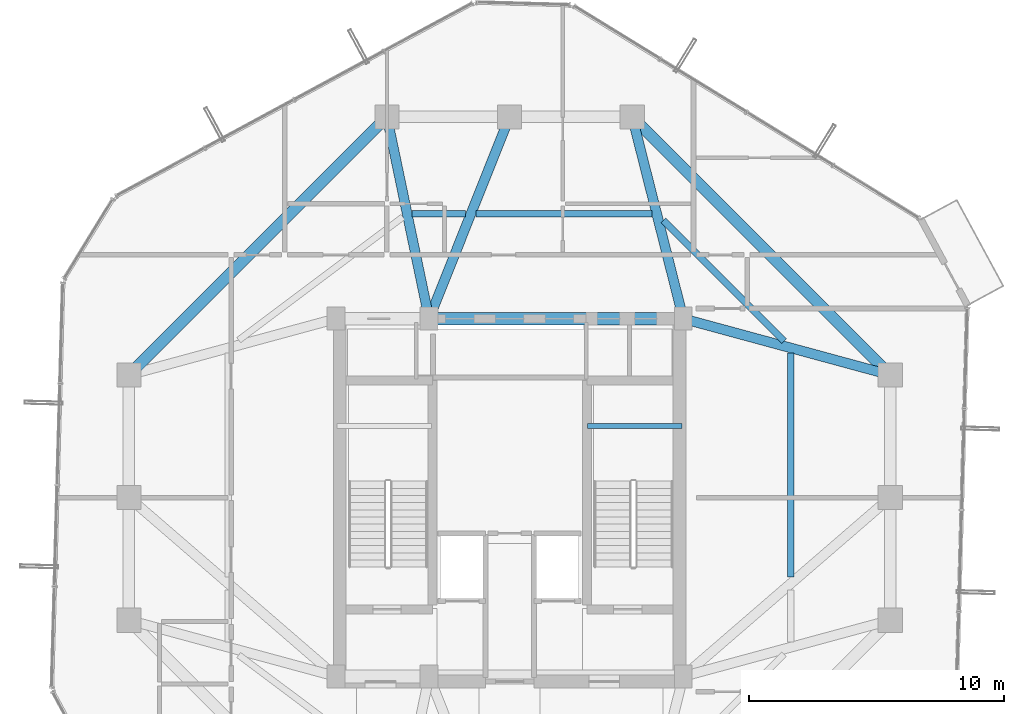
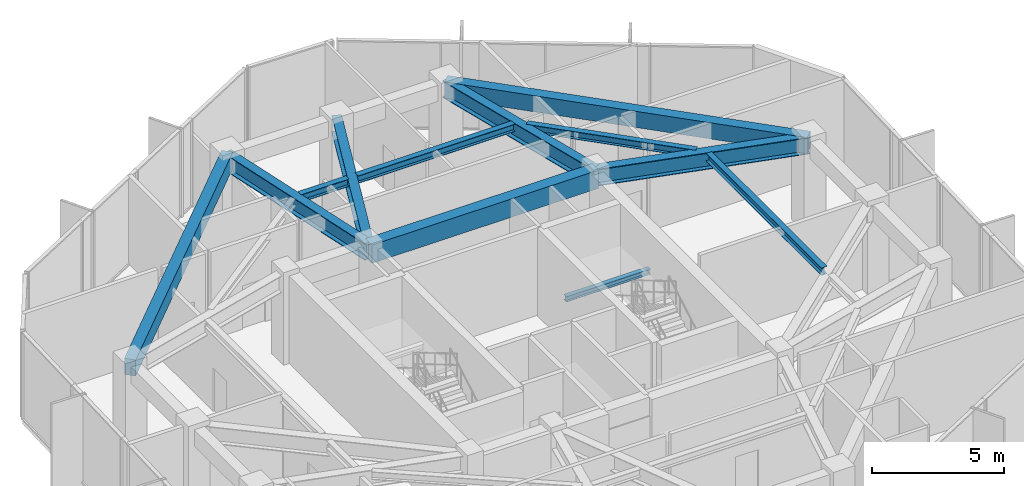
# One storey, part 10 of 22: 12 beams.
"""IFC4 building model written with IfcOpenShell, lengths in metres."""

import ifcopenshell
import ifcopenshell.guid

model = None  # the IFC model being written
_history = None  # IfcOwnerHistory: only IFC2X3 demands one
_inside = {}  # id of a spatial element -> (the spatial element, [elements in it])
_under = {}  # id of a project, library or spatial element -> (it, [spatial elements below it])
_declared = {}  # id of a project -> (the project, [libraries it declares])
_typed = {}  # id of a type object -> (the type object, [elements of that type])
_made_of = {}  # id of a material, layer set ... -> (it, [elements and type objects made of it])


def new_model(schema):
    """Start an empty IFC model of exactly this schema.

    Asked for "IFC4X3", IfcOpenShell would pick the latest addendum, in which some entities
    have other attributes; the version numbers below select the first issue.
    IFC2X3 requires an IfcOwnerHistory on every rooted entity: one is made here for all.
    """
    global model, _history
    if schema == "IFC4X3":
        model = ifcopenshell.file(schema_version=(4, 3, 0, 0))
    else:
        model = ifcopenshell.file(schema=schema)
    _inside.clear()
    _under.clear()
    _declared.clear()
    _typed.clear()
    _made_of.clear()
    _history = None
    if model.schema == "IFC2X3":
        org = make("IfcOrganization", Name="unknown")
        user = make(
            "IfcPersonAndOrganization",
            ThePerson=make("IfcPerson", FamilyName="unknown"),
            TheOrganization=org,
        )
        app = make(
            "IfcApplication",
            ApplicationDeveloper=org,
            Version="unknown",
            ApplicationFullName="unknown",
            ApplicationIdentifier="unknown",
        )
        _history = make(
            "IfcOwnerHistory",
            OwningUser=user,
            OwningApplication=app,
            ChangeAction="ADDED",
            CreationDate=0,
        )
    return model


def make(cls, **values):
    """One entity of the class cls with the attributes given. An attribute that is None is left unset."""
    return model.create_entity(
        cls, **{name: value for name, value in values.items() if value is not None}
    )


def rooted(cls, **values):
    """An entity with a GlobalId (a new one), such as an element, a storey or a relation."""
    return make(cls, GlobalId=ifcopenshell.guid.new(), OwnerHistory=_history, **values)


def si_unit(unit_type, name, prefix=None):
    """IfcSIUnit, for example si_unit("LENGTHUNIT", "METRE", prefix="MILLI")."""
    return make("IfcSIUnit", UnitType=unit_type, Prefix=prefix, Name=name)


def assignment(units):
    """IfcUnitAssignment: the units of a project."""
    return None if units is None else make("IfcUnitAssignment", Units=units)


def point(xyz):
    """IfcCartesianPoint."""
    return None if xyz is None else make("IfcCartesianPoint", Coordinates=xyz)


def direction(xyz):
    """IfcDirection."""
    return None if xyz is None else make("IfcDirection", DirectionRatios=xyz)


def frame(location, z_axis=None, x_axis=None):
    """IfcAxis2Placement3D, a coordinate frame: its origin and axes. An axis left out is left unset."""
    return make(
        "IfcAxis2Placement3D",
        Location=point(location),
        Axis=direction(z_axis),
        RefDirection=direction(x_axis),
    )


def frame_2d(location, x_axis=None):
    """IfcAxis2Placement2D, a coordinate frame in the plane: its origin and x axis."""
    return make(
        "IfcAxis2Placement2D", Location=point(location), RefDirection=direction(x_axis)
    )


def origin():
    """The frame at (0, 0, 0) with its axes left unset."""
    return frame((0.0, 0.0, 0.0))


def origin_2d():
    """The frame at (0, 0) in the plane with its x axis left unset."""
    return frame_2d((0.0, 0.0))


def place(relative_to, where):
    """IfcLocalPlacement: puts the frame where relative to a parent placement (None: the world)."""
    return make(
        "IfcLocalPlacement", PlacementRelTo=relative_to, RelativePlacement=where
    )


def context(
    kind, dimensions, precision=None, world=None, true_north=None, identifier=None
):
    """IfcGeometricRepresentationContext, for example the 3D "Model" context."""
    return make(
        "IfcGeometricRepresentationContext",
        ContextIdentifier=identifier,
        ContextType=kind,
        CoordinateSpaceDimension=dimensions,
        Precision=precision,
        WorldCoordinateSystem=world,
        TrueNorth=true_north,
    )


def subcontext(parent, identifier, kind, view, scale=None):
    """IfcGeometricRepresentationSubContext, for example "Body" below "Model"."""
    return make(
        "IfcGeometricRepresentationSubContext",
        ContextIdentifier=identifier,
        ContextType=kind,
        ParentContext=parent,
        TargetScale=scale,
        TargetView=view,
    )


def project(units=None, contexts=None):
    """IfcProject with its units and contexts."""
    return rooted(
        "IfcProject",
        Name="project",
        RepresentationContexts=contexts,
        UnitsInContext=assignment(units),
    )


def spatial(cls, under=None, at=None, **own):
    """A site, building, storey or space (cls), placed at a placement, below another one or the project."""
    s = rooted(cls, ObjectPlacement=at, **own)
    if under is not None:
        _under.setdefault(under.id(), (under, []))[1].append(s)
    return s


def profile(cls, at=None, kind="AREA", **sizes):
    """A parametric profile (cls). Its sizes go by their IFC names, for example OverallWidth=200.0."""
    return make(cls, ProfileType=kind, Position=at, **sizes)


def rectangle(**sizes):
    """IfcRectangleProfileDef."""
    return profile("IfcRectangleProfileDef", **sizes)


def i_section(**sizes):
    """IfcIShapeProfileDef."""
    return profile("IfcIShapeProfileDef", **sizes)


def extrude(swept, where, along, depth):
    """IfcExtrudedAreaSolid: the profile swept, set in the frame where, extruded along a direction by depth."""
    return make(
        "IfcExtrudedAreaSolid",
        SweptArea=swept,
        Position=where,
        ExtrudedDirection=direction(along),
        Depth=depth,
    )


def shape(context_of_items, identifier, shape_type, items):
    """IfcShapeRepresentation: the items that make up one representation, for example the "Body"."""
    return make(
        "IfcShapeRepresentation",
        ContextOfItems=context_of_items,
        RepresentationIdentifier=identifier,
        RepresentationType=shape_type,
        Items=items,
    )


def material(Name=None, Category=None):
    """IfcMaterial."""
    return make("IfcMaterial", Name=Name, Category=Category)


def material_profile(
    of_material, cross_section, Name=None, Category=None, Priority=None
):
    """IfcMaterialProfile: a cross section and its material."""
    return make(
        "IfcMaterialProfile",
        Name=Name,
        Material=of_material,
        Profile=cross_section,
        Priority=Priority,
        Category=Category,
    )


def profile_set(profiles, Name=None, composite=None):
    """IfcMaterialProfileSet."""
    return make(
        "IfcMaterialProfileSet",
        Name=Name,
        MaterialProfiles=profiles,
        CompositeProfile=composite,
    )


def made_of(thing, what):
    """Note that an element or type object is made of a material, layer set ...; save() writes the relation."""
    if what is not None:
        _made_of.setdefault(what.id(), (what, []))[1].append(thing)
    return thing


def type_object(cls, material=None, **own):
    """A type object (cls), such as IfcWallType, which elements share."""
    return made_of(rooted(cls, **own), material)


def element(
    cls,
    number,
    at=None,
    inside=None,
    cuts=None,
    type_object=None,
    material=None,
    context=None,
    identifier="Body",
    shape_type=None,
    held_by="IfcProductDefinitionShape",
    body=None,
    shapes=None,
    **own,
):
    """One element of the class cls, such as IfcWall. Its Tag is "e" and its number.

    at: its placement. inside: the storey or other place that contains it. cuts: it is an
    opening in that element (IfcRelVoidsElement). A single representation is given by context,
    identifier, shape_type and body (its items); several are given by shapes. held_by: the class
    of the entity that holds the representations. save() writes the other relations.
    """
    e = rooted(cls, Tag="e%d" % number, ObjectPlacement=at, **own)
    if body is not None:
        shapes = [shape(context, identifier, shape_type, body)]
    if shapes is not None:
        e.Representation = make(held_by, Representations=shapes)
    if inside is not None:
        _inside.setdefault(inside.id(), (inside, []))[1].append(e)
    if cuts is not None:
        rooted(
            "IfcRelVoidsElement", RelatingBuildingElement=cuts, RelatedOpeningElement=e
        )
    if type_object is not None:
        _typed.setdefault(type_object.id(), (type_object, []))[1].append(e)
    return made_of(e, material)


def aggregate(whole, parts):
    """IfcRelAggregates: a whole, such as a stair, and the parts it consists of."""
    return rooted("IfcRelAggregates", RelatingObject=whole, RelatedObjects=parts)


def save(model, path):
    """Write the relations noted so far, then the file.

    IfcRelAggregates (storeys below a building ...), IfcRelContainedInSpatialStructure (elements
    in a storey), IfcRelDefinesByType, IfcRelAssociatesMaterial and IfcRelDeclares: one each for
    every whole, place, type object, material and project.
    """
    for whole, parts in _under.values():
        aggregate(whole, parts)
    for where, things in _inside.values():
        rooted(
            "IfcRelContainedInSpatialStructure",
            RelatedElements=things,
            RelatingStructure=where,
        )
    for kind, things in _typed.values():
        rooted("IfcRelDefinesByType", RelatedObjects=things, RelatingType=kind)
    for what, things in _made_of.values():
        rooted("IfcRelAssociatesMaterial", RelatedObjects=things, RelatingMaterial=what)
    for by, libraries in _declared.values():
        rooted("IfcRelDeclares", RelatingContext=by, RelatedDefinitions=libraries)
    model.write(path)


model = new_model("IFC4")

# Units and contexts
model_context = context("Model", 3, precision=1e-05, world=origin(), true_north=direction((0.0, 1.0)))
body_context = subcontext(model_context, "Body", "Model", "MODEL_VIEW")
ifc_project = project(units=[si_unit("LENGTHUNIT", "METRE"), si_unit("AREAUNIT", "SQUARE_METRE"), si_unit("VOLUMEUNIT", "CUBIC_METRE"), si_unit("PLANEANGLEUNIT", "RADIAN"), si_unit("MASSUNIT", "GRAM", prefix="KILO")], contexts=[model_context])

# Site, building, storey
site_placement = place(None, origin())
site = spatial("IfcSite", under=ifc_project, at=site_placement, CompositionType="ELEMENT")
building_placement = place(site_placement, origin())
building = spatial("IfcBuilding", under=site, at=building_placement, Name="Veraguas Prism Commons", CompositionType="ELEMENT")
storey_placement = place(building_placement, frame((0.0, 0.0, 211.35009765625)))
storey = spatial("IfcBuildingStorey", under=building, at=storey_placement, Name="L60", CompositionType="ELEMENT", Elevation=211.35009765625)

# Beams
ifc_material_1 = material(Name="Steel ASTM A992 Grade 50", Category="steel")
ifc_material_profile_1 = material_profile(ifc_material_1, i_section(OverallWidth=0.382080078125, OverallDepth=0.779052734375, WebThickness=0.01806640625, FlangeThickness=0.030029296875, at=origin_2d()), Name="W760X284")
ifc_profile_set_1 = profile_set([ifc_material_profile_1], Name="Steel ASTM A992 Grade 50")
beam_type_1 = type_object("IfcBeamType", Name="Assembly Primary Girder W760x284", PredefinedType="BEAM", material=ifc_profile_set_1)
beam_1_placement = place(storey_placement, frame((38.89990234375, 28.800048828125, 3.67529296875), z_axis=(-0.965038506703, 0.262108146725, 0.0), x_axis=(-0.262108146725, -0.965038506703, 0.0)))
element("IfcBeam", 1, at=beam_1_placement, inside=storey, type_object=beam_type_1, Name="Radial Floor Girder L60-RD03", PredefinedType="BEAM", context=body_context, shape_type="SweptSolid", body=[
    extrude(i_section(OverallWidth=0.382080078125, OverallDepth=0.779052734375, WebThickness=0.01806640625, FlangeThickness=0.030029296875, at=origin_2d()), origin(), (0.0, 0.0, 1.0), 8.393310546875),
])
beam_2_placement = place(storey_placement, frame((28.800048828125, 38.89990234375, 3.67529296875), z_axis=(0.245424718066, -0.969415652732, 0.0), x_axis=(0.969415652732, 0.245424718066, 0.0)))
element("IfcBeam", 2, at=beam_2_placement, inside=storey, type_object=beam_type_1, Name="Radial Floor Girder L60-RD04", PredefinedType="BEAM", context=body_context, shape_type="SweptSolid", body=[
    extrude(i_section(OverallWidth=0.382080078125, OverallDepth=0.779052734375, WebThickness=0.01806640625, FlangeThickness=0.030029296875, at=origin_2d()), origin(), (0.0, 0.0, 1.0), 8.149169921875),
])
beam_3_placement = place(storey_placement, frame((24.0, 38.89990234375, 3.67529296875), z_axis=(-0.370370877803, -0.928883960931, 0.0), x_axis=(0.928883960931, -0.370370877803, 0.0)))
element("IfcBeam", 3, at=beam_3_placement, inside=storey, type_object=beam_type_1, Name="Radial Floor Girder L60-RD05", PredefinedType="BEAM", context=body_context, shape_type="SweptSolid", body=[
    extrude(i_section(OverallWidth=0.382080078125, OverallDepth=0.779052734375, WebThickness=0.01806640625, FlangeThickness=0.030029296875, at=origin_2d()), origin(), (0.0, 0.0, 1.0), 8.504638671875),
])
beam_4_placement = place(storey_placement, frame((19.199951171875, 38.89990234375, 3.67529296875), z_axis=(0.204468851168, -0.978873070884, 0.0), x_axis=(0.978873070884, 0.204468851168, 0.0)))
element("IfcBeam", 4, at=beam_4_placement, inside=storey, type_object=beam_type_1, Name="Radial Floor Girder L60-RD06", PredefinedType="BEAM", context=body_context, shape_type="SweptSolid", body=[
    extrude(i_section(OverallWidth=0.382080078125, OverallDepth=0.779052734375, WebThickness=0.01806640625, FlangeThickness=0.030029296875, at=origin_2d()), origin(), (0.0, 0.0, 1.0), 8.0703125),
])
ifc_material_2 = material(Name="Concrete C50/60", Category="concrete")
ifc_material_profile_2 = material_profile(ifc_material_2, rectangle(XDim=0.5, YDim=0.85009765625, at=origin_2d()), Name="RC500X850")
ifc_profile_set_2 = profile_set([ifc_material_profile_2], Name="Concrete C50/60")
beam_type_2 = type_object("IfcBeamType", Name="Core Coupling Beam RC 500x850", PredefinedType="BEAM", material=ifc_profile_set_2)
beam_5_placement = place(storey_placement, frame((20.85009765625, 31.0, 3.639892578125), z_axis=(1.0, 0.0, 0.0), x_axis=(0.0, 1.0, 0.0)))
element("IfcBeam", 5, at=beam_5_placement, inside=storey, type_object=beam_type_2, Name="Core Coupling Beam L60-CRN2", PredefinedType="BEAM", context=body_context, shape_type="SweptSolid", body=[
    extrude(rectangle(XDim=0.5, YDim=0.85009765625, at=origin_2d()), origin(), (0.0, 0.0, 1.0), 9.949951171875),
])
ifc_material_profile_3 = material_profile(ifc_material_2, rectangle(XDim=0.449951171875, YDim=0.75, at=origin_2d()), Name="RC450X750")
ifc_profile_set_3 = profile_set([ifc_material_profile_3], Name="Concrete C50/60")
beam_type_3 = type_object("IfcBeamType", Name="Perimeter Spandrel Upper RC 450x750", PredefinedType="SPANDREL", material=ifc_profile_set_3)
for number, where, z_axis, x_axis, name in (
    (6, (38.89990234375, 28.800048828125, 3.68994140625), (-0.707106781187, 0.707106781187, 0.0), (-0.707106781187, -0.707106781187, 0.0), "Perimeter Spandrel Beam L60-SP03"),
    (7, (19.199951171875, 38.89990234375, 3.68994140625), (-0.707106781187, -0.707106781187, 0.0), (0.707106781187, -0.707106781187, 0.0), "Perimeter Spandrel Beam L60-SP06"),
):
    element("IfcBeam", number, at=place(storey_placement, frame(where, z_axis=z_axis, x_axis=x_axis)), inside=storey, type_object=beam_type_3, Name=name, PredefinedType="SPANDREL", context=body_context, shape_type="SweptSolid", body=[
        extrude(rectangle(XDim=0.449951171875, YDim=0.75, at=origin_2d()), origin(), (0.0, 0.0, 1.0), 14.283447265625),
    ])
ifc_material_profile_4 = material_profile(ifc_material_1, i_section(OverallWidth=0.202880859375, OverallDepth=0.251953125, WebThickness=0.008056640625, FlangeThickness=0.013427734375, at=origin_2d()), Name="W250X58")
ifc_profile_set_4 = profile_set([ifc_material_profile_4], Name="Steel ASTM A992 Grade 50")
beam_type_4 = type_object("IfcBeamType", Name="Structural Opening Lintel W250x58", PredefinedType="LINTEL", material=ifc_profile_set_4)
beam_6_placement = place(storey_placement, frame((27.050048828125, 26.800048828125, 1.823974609375), z_axis=(1.0, 0.0, 0.0), x_axis=(0.0, 1.0, 0.0)))
element("IfcBeam", 8, at=beam_6_placement, inside=storey, type_object=beam_type_4, Name="Stair ST-02 Half-Landing Support Beam L60-1", PredefinedType="LINTEL", context=body_context, shape_type="SweptSolid", body=[
    extrude(i_section(OverallWidth=0.202880859375, OverallDepth=0.251953125, WebThickness=0.008056640625, FlangeThickness=0.013427734375, at=origin_2d()), origin(), (0.0, 0.0, 1.0), 3.699951171875),
])
ifc_material_profile_5 = material_profile(ifc_material_1, i_section(OverallWidth=0.25390625, OverallDepth=0.35302734375, WebThickness=0.009521484375, FlangeThickness=0.016357421875, at=origin_2d()), Name="W360X91")
ifc_profile_set_5 = profile_set([ifc_material_profile_5], Name="Steel ASTM A992 Grade 50")
beam_type_5 = type_object("IfcBeamType", Name="Upper Floor Joist W360x91", PredefinedType="JOIST", material=ifc_profile_set_5)
beam_7_placement = place(storey_placement, frame((35.011962890625, 20.889892578125, 3.888427734375), z_axis=(0.0, 1.0, 0.0), x_axis=(-1.0, 0.0, 0.0)))
element("IfcBeam", 9, at=beam_7_placement, inside=storey, type_object=beam_type_5, Name="Composite Floor Joist L60-JS02", PredefinedType="JOIST", context=body_context, shape_type="SweptSolid", body=[
    extrude(i_section(OverallWidth=0.25390625, OverallDepth=0.35302734375, WebThickness=0.009521484375, FlangeThickness=0.016357421875, at=origin_2d()), origin(), (0.0, 0.0, 1.0), 8.770263671875),
])
beam_8_placement = place(storey_placement, frame((34.7431640625, 30.125, 3.888427734375), z_axis=(-0.707125060473, 0.707088501427, 0.0), x_axis=(-0.707088501427, -0.707125060473, 0.0)))
element("IfcBeam", 10, at=beam_8_placement, inside=storey, type_object=beam_type_5, Name="Composite Floor Joist L60-JS03", PredefinedType="JOIST", context=body_context, shape_type="SweptSolid", body=[
    extrude(i_section(OverallWidth=0.25390625, OverallDepth=0.35302734375, WebThickness=0.009521484375, FlangeThickness=0.016357421875, at=origin_2d()), origin(), (0.0, 0.0, 1.0), 6.677978515625),
])
beam_9_placement = place(storey_placement, frame((29.56494140625, 35.10791015625, 3.888427734375), z_axis=(-1.0, 0.0, 0.0), x_axis=(0.0, -1.0, 0.0)))
element("IfcBeam", 11, at=beam_9_placement, inside=storey, type_object=beam_type_5, Name="Composite Floor Joist L60-JS04", PredefinedType="JOIST", context=body_context, shape_type="SweptSolid", body=[
    extrude(i_section(OverallWidth=0.25390625, OverallDepth=0.35302734375, WebThickness=0.009521484375, FlangeThickness=0.016357421875, at=origin_2d()), origin(), (0.0, 0.0, 1.0), 6.87353515625),
])
beam_10_placement = place(storey_placement, frame((22.284423828125, 35.10791015625, 3.888427734375), z_axis=(-1.0, 0.0, 0.0), x_axis=(0.0, -1.0, 0.0)))
element("IfcBeam", 12, at=beam_10_placement, inside=storey, type_object=beam_type_5, Name="Composite Floor Joist L60-JS05", PredefinedType="JOIST", context=body_context, shape_type="SweptSolid", body=[
    extrude(i_section(OverallWidth=0.25390625, OverallDepth=0.35302734375, WebThickness=0.009521484375, FlangeThickness=0.016357421875, at=origin_2d()), origin(), (0.0, 0.0, 1.0), 2.099365234375),
])

save(model, "model.ifc")
